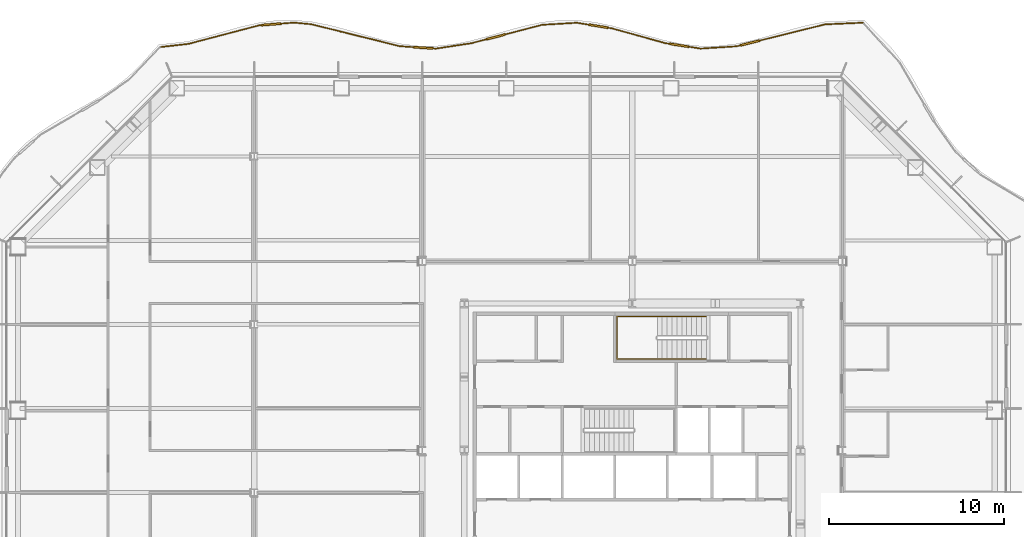
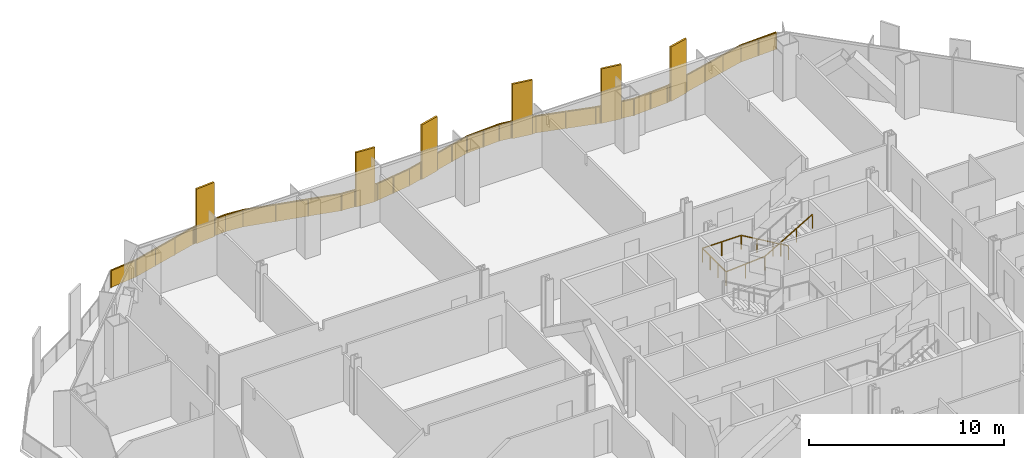
# One storey, part 19 of 20: 2 railings.
"""IFC4 building model written with IfcOpenShell, lengths in metres."""

from ifc_helpers import new_model, si_unit, direction, frame, origin, origin_2d, place, context, subcontext, project, spatial, polyline, rectangle, outline, extrude, material, type_object, element, save


model = new_model("IFC4")

# Units and contexts
model_context = context("Model", 3, precision=1e-05, world=origin(), true_north=direction((0.0, 1.0)))
body_context = subcontext(model_context, "Body", "Model", "MODEL_VIEW")
ifc_project = project(units=[si_unit("LENGTHUNIT", "METRE"), si_unit("AREAUNIT", "SQUARE_METRE"), si_unit("VOLUMEUNIT", "CUBIC_METRE"), si_unit("PLANEANGLEUNIT", "RADIAN"), si_unit("MASSUNIT", "GRAM", prefix="KILO")], contexts=[model_context])

# Site, building, storey
site_placement = place(None, origin())
site = spatial("IfcSite", under=ifc_project, at=site_placement, CompositionType="ELEMENT")
building_placement = place(site_placement, origin())
building = spatial("IfcBuilding", under=site, at=building_placement, Name="Cairn Pilgrim Tower", CompositionType="ELEMENT")
storey_placement = place(building_placement, frame((0.0, 0.0, 83.39990234375)))
storey = spatial("IfcBuildingStorey", under=building, at=storey_placement, Name="L19", CompositionType="ELEMENT", Elevation=83.39990234375)

# Railings
ifc_material_1 = material(Name="Bronze anodised aluminium rail, posts and fin screens with laminated glass infill", Category="aluminium")
railing_type_1 = type_object("IfcRailingType", Name="BALCONY GUARD WITH FIN SCREENS", PredefinedType="GUARDRAIL", material=ifc_material_1)
railing_1_placement = place(storey_placement, frame((20.37646484375, 26.83984375, 0.0)))
element("IfcRailing", 1, at=railing_1_placement, inside=storey, type_object=railing_type_1, Name="Balcony guard BGF-5 with fin screens", PredefinedType="GUARDRAIL", context=body_context, shape_type="SweptSolid", body=[
    extrude(rectangle(XDim=0.050048828125, YDim=0.050048828125, at=origin_2d()), frame((0.0, 0.0, 1.0751953125), z_axis=(-0.999059343406, -0.043363906112, 0.0), x_axis=(0.043363906112, -0.999059343406, 0.0)), (0.0, 0.0, 1.0), 2.16748046875),
    extrude(rectangle(XDim=1.10009765625, YDim=0.110107421875, at=origin_2d()), frame((-6.455810546875, -1.1591796875, 0.0), z_axis=(0.0, 0.0, 1.0), x_axis=(-0.970530332605, -0.240978989733, 0.0)), (0.0, 0.0, 1.0), 3.39990234375),
    extrude(rectangle(XDim=0.050048828125, YDim=0.050048828125, at=origin_2d()), frame((-2.16552734375, -0.093994140625, 1.0751953125), z_axis=(-0.970530332605, -0.240978989733, 0.0), x_axis=(0.240978989733, -0.970530332605, 0.0)), (0.0, 0.0, 1.0), 3.87060546875),
    extrude(rectangle(XDim=0.050048828125, YDim=0.050048828125, at=origin_2d()), frame((-6.989501953125, -1.291748046875, 1.0751953125), z_axis=(-0.970530332605, -0.240978989733, 0.0), x_axis=(0.240978989733, -0.970530332605, 0.0)), (0.0, 0.0, 1.0), 0.23388671875),
    extrude(rectangle(XDim=0.050048828125, YDim=0.050048828125, at=origin_2d()), frame((-7.216552734375, -1.34814453125, 1.0751953125), z_axis=(-0.997955239955, -0.063916657035, 0.0), x_axis=(0.063916657035, -0.997955239955, 0.0)), (0.0, 0.0, 1.0), 2.054931640625),
    extrude(rectangle(XDim=1.10009765625, YDim=0.110107421875, at=origin_2d()), frame((-10.498291015625, -1.289306640625, 0.0), z_axis=(0.0, 0.0, 1.0), x_axis=(-0.988287014191, 0.152606610544, 0.0)), (0.0, 0.0, 1.0), 3.39990234375),
    extrude(rectangle(XDim=0.050048828125, YDim=0.050048828125, at=origin_2d()), frame((-9.267333984375, -1.4794921875, 1.0751953125), z_axis=(-0.988287014191, 0.152606610544, 0.0), x_axis=(-0.152606610544, -0.988287014191, 0.0)), (0.0, 0.0, 1.0), 0.695556640625),
    extrude(rectangle(XDim=0.050048828125, YDim=0.050048828125, at=origin_2d()), frame((-11.0419921875, -1.20556640625, 1.0751953125), z_axis=(-0.988287014191, 0.152606610544, 0.0), x_axis=(-0.152606610544, -0.988287014191, 0.0)), (0.0, 0.0, 1.0), 0.2744140625),
    extrude(rectangle(XDim=0.050048828125, YDim=0.050048828125, at=origin_2d()), frame((-11.313232421875, -1.16357421875, 1.0751953125), z_axis=(-0.963612338145, 0.267303688293, 0.0), x_axis=(-0.267303688293, -0.963612338145, 0.0)), (0.0, 0.0, 1.0), 3.146484375),
    extrude(rectangle(XDim=1.10009765625, YDim=0.110107421875, at=origin_2d()), frame((-15.115966796875, -0.19970703125, 0.0), z_axis=(0.0, 0.0, 1.0), x_axis=(-0.987543657243, 0.157345241549, 0.0)), (0.0, 0.0, 1.0), 3.39990234375),
    extrude(rectangle(XDim=0.050048828125, YDim=0.050048828125, at=origin_2d()), frame((-14.34521484375, -0.322509765625, 1.0751953125), z_axis=(-0.987543657243, 0.157345241549, 0.0), x_axis=(-0.157345241549, -0.987543657243, 0.0)), (0.0, 0.0, 1.0), 0.23046875),
    extrude(rectangle(XDim=0.050048828125, YDim=0.050048828125, at=origin_2d()), frame((-15.6591796875, -0.11328125, 1.0751953125), z_axis=(-0.987543657243, 0.157345241549, 0.0), x_axis=(-0.157345241549, -0.987543657243, 0.0)), (0.0, 0.0, 1.0), 0.69140625),
    extrude(rectangle(XDim=0.050048828125, YDim=0.050048828125, at=origin_2d()), frame((-16.341796875, -0.00439453125, 1.0751953125), z_axis=(-0.998306735794, -0.05816924675, 0.0), x_axis=(0.05816924675, -0.998306735794, 0.0)), (0.0, 0.0, 1.0), 1.99365234375),
    extrude(rectangle(XDim=1.10009765625, YDim=0.110107421875, at=origin_2d()), frame((-20.970947265625, -0.807861328125, 0.0), z_axis=(0.0, 0.0, 1.0), x_axis=(-0.967698051512, -0.252112040768, 0.0)), (0.0, 0.0, 1.0), 3.39990234375),
    extrude(rectangle(XDim=0.050048828125, YDim=0.050048828125, at=origin_2d()), frame((-18.33203125, -0.120361328125, 1.0751953125), z_axis=(-0.967698051512, -0.252112040768, 0.0), x_axis=(0.252112040768, -0.967698051512, 0.0)), (0.0, 0.0, 1.0), 2.177001953125),
    extrude(rectangle(XDim=0.050048828125, YDim=0.050048828125, at=origin_2d()), frame((-21.503173828125, -0.946533203125, 1.0751953125), z_axis=(-0.967698051512, -0.252112040768, 0.0), x_axis=(0.252112040768, -0.967698051512, 0.0)), (0.0, 0.0, 1.0), 0.892822265625),
    extrude(rectangle(XDim=0.050048828125, YDim=0.050048828125, at=origin_2d()), frame((-22.3671875, -1.171630859375, 1.0751953125), z_axis=(-0.988737213893, -0.149662025453, 0.0), x_axis=(0.149662025453, -0.988737213893, 0.0)), (0.0, 0.0, 1.0), 2.068359375),
    extrude(rectangle(XDim=1.10009765625, YDim=0.110107421875, at=origin_2d()), frame((-25.110595703125, -1.43408203125, 0.0), z_axis=(0.0, 0.0, 1.0), x_axis=(-0.997721101582, 0.067472983176, 0.0)), (0.0, 0.0, 1.0), 3.39990234375),
    extrude(rectangle(XDim=0.050048828125, YDim=0.050048828125, at=origin_2d()), frame((-24.412353515625, -1.481201171875, 1.0751953125), z_axis=(-0.997721101582, 0.067472983176, 0.0), x_axis=(-0.067472983176, -0.997721101582, 0.0)), (0.0, 0.0, 1.0), 0.14990234375),
    extrude(rectangle(XDim=0.050048828125, YDim=0.050048828125, at=origin_2d()), frame((-25.659423828125, -1.39697265625, 1.0751953125), z_axis=(-0.997721101582, 0.067472983176, 0.0), x_axis=(-0.067472983176, -0.997721101582, 0.0)), (0.0, 0.0, 1.0), 0.80517578125),
    extrude(rectangle(XDim=0.050048828125, YDim=0.050048828125, at=origin_2d()), frame((-26.462890625, -1.342529296875, 1.0751953125), z_axis=(-0.970568434005, 0.240825486426, 0.0), x_axis=(-0.240825486426, -0.970568434005, 0.0)), (0.0, 0.0, 1.0), 5.207763671875),
    extrude(rectangle(XDim=0.050048828125, YDim=0.050048828125, at=origin_2d()), frame((-31.517333984375, -0.08837890625, 1.0751953125), z_axis=(-0.995676342666, 0.092890369014, 0.0), x_axis=(-0.092890369014, -0.995676342666, 0.0)), (0.0, 0.0, 1.0), 0.990966796875),
    extrude(rectangle(XDim=1.10009765625, YDim=0.110107421875, at=origin_2d()), frame((-33.801025390625, -0.095947265625, 0.0), z_axis=(0.0, 0.0, 1.0), x_axis=(-0.997068823954, -0.076509870593, 0.0)), (0.0, 0.0, 1.0), 3.39990234375),
    extrude(rectangle(XDim=0.050048828125, YDim=0.050048828125, at=origin_2d()), frame((-32.50390625, 0.003662109375, 1.0751953125), z_axis=(-0.997068823954, -0.076509870593, 0.0), x_axis=(0.076509870593, -0.997068823954, 0.0)), (0.0, 0.0, 1.0), 0.750732421875),
    extrude(rectangle(XDim=0.050048828125, YDim=0.050048828125, at=origin_2d()), frame((-34.349365234375, -0.137939453125, 1.0751953125), z_axis=(-0.997068823954, -0.076509870593, 0.0), x_axis=(0.076509870593, -0.997068823954, 0.0)), (0.0, 0.0, 1.0), 0.14990234375),
    extrude(rectangle(XDim=0.050048828125, YDim=0.050048828125, at=origin_2d()), frame((-34.498779296875, -0.1494140625, 1.0751953125), z_axis=(-0.967120706258, -0.254317792393, 0.0), x_axis=(0.254317792393, -0.967120706258, 0.0)), (0.0, 0.0, 1.0), 4.177001953125),
    extrude(rectangle(XDim=0.050048828125, YDim=0.050048828125, at=origin_2d()), frame((-38.538330078125, -1.211669921875, 1.0751953125), z_axis=(-0.993720120038, -0.111894249324, 0.0), x_axis=(0.111894249324, -0.993720120038, 0.0)), (0.0, 0.0, 1.0), 1.575439453125),
    extrude(rectangle(XDim=0.050048828125, YDim=0.050048828125, at=origin_2d()), origin(), (0.0, 0.0, 1.0), 1.050048828125),
    extrude(rectangle(XDim=0.050048828125, YDim=0.050048828125, at=origin_2d()), frame((-1.082763671875, -0.046875, 0.0)), (0.0, 0.0, 1.0), 1.050048828125),
    extrude(rectangle(XDim=0.050048828125, YDim=0.050048828125, at=origin_2d()), frame((-2.16552734375, -0.093994140625, 0.0)), (0.0, 0.0, 1.0), 1.050048828125),
    extrude(rectangle(XDim=0.050048828125, YDim=0.050048828125, at=origin_2d()), frame((-3.40966796875, -0.40283203125, 0.0)), (0.0, 0.0, 1.0), 1.050048828125),
    extrude(rectangle(XDim=0.050048828125, YDim=0.050048828125, at=origin_2d()), frame((-4.653564453125, -0.711669921875, 0.0)), (0.0, 0.0, 1.0), 1.050048828125),
    extrude(rectangle(XDim=0.050048828125, YDim=0.050048828125, at=origin_2d()), frame((-5.897705078125, -1.020751953125, 0.0)), (0.0, 0.0, 1.0), 1.050048828125),
    extrude(rectangle(XDim=0.050048828125, YDim=0.050048828125, at=origin_2d()), frame((-7.013916015625, -1.2978515625, 0.0)), (0.0, 0.0, 1.0), 1.050048828125),
    extrude(rectangle(XDim=0.050048828125, YDim=0.050048828125, at=origin_2d()), frame((-7.216552734375, -1.34814453125, 0.0)), (0.0, 0.0, 1.0), 1.050048828125),
    extrude(rectangle(XDim=0.050048828125, YDim=0.050048828125, at=origin_2d()), frame((-8.241943359375, -1.413818359375, 0.0)), (0.0, 0.0, 1.0), 1.050048828125),
    extrude(rectangle(XDim=0.050048828125, YDim=0.050048828125, at=origin_2d()), frame((-9.267333984375, -1.4794921875, 0.0)), (0.0, 0.0, 1.0), 1.050048828125),
    extrude(rectangle(XDim=0.050048828125, YDim=0.050048828125, at=origin_2d()), frame((-9.93017578125, -1.377197265625, 0.0)), (0.0, 0.0, 1.0), 1.050048828125),
    extrude(rectangle(XDim=0.050048828125, YDim=0.050048828125, at=origin_2d()), frame((-11.066650390625, -1.20166015625, 0.0)), (0.0, 0.0, 1.0), 1.050048828125),
    extrude(rectangle(XDim=0.050048828125, YDim=0.050048828125, at=origin_2d()), frame((-11.313232421875, -1.16357421875, 0.0)), (0.0, 0.0, 1.0), 1.050048828125),
    extrude(rectangle(XDim=0.050048828125, YDim=0.050048828125, at=origin_2d()), frame((-12.8291015625, -0.7431640625, 0.0)), (0.0, 0.0, 1.0), 1.050048828125),
    extrude(rectangle(XDim=0.050048828125, YDim=0.050048828125, at=origin_2d()), frame((-14.34521484375, -0.322509765625, 0.0)), (0.0, 0.0, 1.0), 1.050048828125),
    extrude(rectangle(XDim=0.050048828125, YDim=0.050048828125, at=origin_2d()), frame((-14.548095703125, -0.290283203125, 0.0)), (0.0, 0.0, 1.0), 1.050048828125),
    extrude(rectangle(XDim=0.050048828125, YDim=0.050048828125, at=origin_2d()), frame((-15.683837890625, -0.109130859375, 0.0)), (0.0, 0.0, 1.0), 1.050048828125),
    extrude(rectangle(XDim=0.050048828125, YDim=0.050048828125, at=origin_2d()), frame((-16.341796875, -0.00439453125, 0.0)), (0.0, 0.0, 1.0), 1.050048828125),
    extrude(rectangle(XDim=0.050048828125, YDim=0.050048828125, at=origin_2d()), frame((-17.3369140625, -0.0625, 0.0)), (0.0, 0.0, 1.0), 1.050048828125),
    extrude(rectangle(XDim=0.050048828125, YDim=0.050048828125, at=origin_2d()), frame((-18.33203125, -0.120361328125, 0.0)), (0.0, 0.0, 1.0), 1.050048828125),
    extrude(rectangle(XDim=0.050048828125, YDim=0.050048828125, at=origin_2d()), frame((-19.373291015625, -0.3916015625, 0.0)), (0.0, 0.0, 1.0), 1.050048828125),
    extrude(rectangle(XDim=0.050048828125, YDim=0.050048828125, at=origin_2d()), frame((-20.41455078125, -0.662841796875, 0.0)), (0.0, 0.0, 1.0), 1.050048828125),
    extrude(rectangle(XDim=0.050048828125, YDim=0.050048828125, at=origin_2d()), frame((-21.52734375, -0.952880859375, 0.0)), (0.0, 0.0, 1.0), 1.050048828125),
    extrude(rectangle(XDim=0.050048828125, YDim=0.050048828125, at=origin_2d()), frame((-22.3671875, -1.171630859375, 0.0)), (0.0, 0.0, 1.0), 1.050048828125),
    extrude(rectangle(XDim=0.050048828125, YDim=0.050048828125, at=origin_2d()), frame((-23.3896484375, -1.326416015625, 0.0)), (0.0, 0.0, 1.0), 1.050048828125),
    extrude(rectangle(XDim=0.050048828125, YDim=0.050048828125, at=origin_2d()), frame((-24.412353515625, -1.481201171875, 0.0)), (0.0, 0.0, 1.0), 1.050048828125),
    extrude(rectangle(XDim=0.050048828125, YDim=0.050048828125, at=origin_2d()), frame((-24.536865234375, -1.47265625, 0.0)), (0.0, 0.0, 1.0), 1.050048828125),
    extrude(rectangle(XDim=0.050048828125, YDim=0.050048828125, at=origin_2d()), frame((-25.684326171875, -1.395263671875, 0.0)), (0.0, 0.0, 1.0), 1.050048828125),
    extrude(rectangle(XDim=0.050048828125, YDim=0.050048828125, at=origin_2d()), frame((-26.462890625, -1.342529296875, 0.0)), (0.0, 0.0, 1.0), 1.050048828125),
    extrude(rectangle(XDim=0.050048828125, YDim=0.050048828125, at=origin_2d()), frame((-28.147705078125, -0.924560546875, 0.0)), (0.0, 0.0, 1.0), 1.050048828125),
    extrude(rectangle(XDim=0.050048828125, YDim=0.050048828125, at=origin_2d()), frame((-29.83251953125, -0.50634765625, 0.0)), (0.0, 0.0, 1.0), 1.050048828125),
    extrude(rectangle(XDim=0.050048828125, YDim=0.050048828125, at=origin_2d()), frame((-31.517333984375, -0.08837890625, 0.0)), (0.0, 0.0, 1.0), 1.050048828125),
    extrude(rectangle(XDim=0.050048828125, YDim=0.050048828125, at=origin_2d()), frame((-32.50390625, 0.003662109375, 0.0)), (0.0, 0.0, 1.0), 1.050048828125),
    extrude(rectangle(XDim=0.050048828125, YDim=0.050048828125, at=origin_2d()), frame((-33.2275390625, -0.0517578125, 0.0)), (0.0, 0.0, 1.0), 1.050048828125),
    extrude(rectangle(XDim=0.050048828125, YDim=0.050048828125, at=origin_2d()), frame((-34.374267578125, -0.139892578125, 0.0)), (0.0, 0.0, 1.0), 1.050048828125),
    extrude(rectangle(XDim=0.050048828125, YDim=0.050048828125, at=origin_2d()), frame((-34.498779296875, -0.1494140625, 0.0)), (0.0, 0.0, 1.0), 1.050048828125),
    extrude(rectangle(XDim=0.050048828125, YDim=0.050048828125, at=origin_2d()), frame((-35.84521484375, -0.50341796875, 0.0)), (0.0, 0.0, 1.0), 1.050048828125),
    extrude(rectangle(XDim=0.050048828125, YDim=0.050048828125, at=origin_2d()), frame((-37.19189453125, -0.857666015625, 0.0)), (0.0, 0.0, 1.0), 1.050048828125),
    extrude(rectangle(XDim=0.050048828125, YDim=0.050048828125, at=origin_2d()), frame((-38.538330078125, -1.211669921875, 0.0)), (0.0, 0.0, 1.0), 1.050048828125),
    extrude(rectangle(XDim=0.050048828125, YDim=0.050048828125, at=origin_2d()), frame((-40.103759765625, -1.387939453125, 0.0)), (0.0, 0.0, 1.0), 1.050048828125),
    extrude(outline(polyline([(0.02490234375, 0.0), (1.058837890625, 0.0), (1.058837890625, 1.050048828125), (0.02490234375, 1.050048828125), (0.02490234375, 0.0)])), frame((0.000244140625, -0.005859375, 0.0), z_axis=(-0.043363906112, 0.999059343406, 0.0), x_axis=(-0.999059343406, -0.043363906112, 0.0)), (0.0, 0.0, 1.0), 0.011962890625),
    extrude(outline(polyline([(0.02490234375, 0.0), (1.058837890625, 0.0), (1.058837890625, 1.050048828125), (0.02490234375, 1.050048828125), (0.02490234375, 0.0)])), frame((-1.08251953125, -0.052978515625, 0.0), z_axis=(-0.043363906112, 0.999059343406, 0.0), x_axis=(-0.999059343406, -0.043363906112, 0.0)), (0.0, 0.0, 1.0), 0.011962890625),
    extrude(outline(polyline([(0.02490234375, 0.0), (1.2568359375, 0.0), (1.2568359375, 1.050048828125), (0.02490234375, 1.050048828125), (0.02490234375, 0.0)])), frame((-2.1640625, -0.099853515625, 0.0), z_axis=(-0.240978989733, 0.970530332605, 0.0), x_axis=(-0.970530332605, -0.240978989733, 0.0)), (0.0, 0.0, 1.0), 0.011962890625),
    extrude(outline(polyline([(0.02490234375, 0.0), (1.2568359375, 0.0), (1.2568359375, 1.050048828125), (0.02490234375, 1.050048828125), (0.02490234375, 0.0)])), frame((-3.408203125, -0.40869140625, 0.0), z_axis=(-0.240978989733, 0.970530332605, 0.0), x_axis=(-0.970530332605, -0.240978989733, 0.0)), (0.0, 0.0, 1.0), 0.011962890625),
    extrude(outline(polyline([(0.02490234375, 0.0), (1.2568359375, 0.0), (1.2568359375, 1.050048828125), (0.02490234375, 1.050048828125), (0.02490234375, 0.0)])), frame((-4.652099609375, -0.717529296875, 0.0), z_axis=(-0.240978989733, 0.970530332605, 0.0), x_axis=(-0.970530332605, -0.240978989733, 0.0)), (0.0, 0.0, 1.0), 0.011962890625),
    extrude(outline(polyline([(0.02490234375, 0.0), (0.183837890625, 0.0), (0.183837890625, 1.050048828125), (0.02490234375, 1.050048828125), (0.02490234375, 0.0)])), frame((-7.012451171875, -1.3037109375, 0.0), z_axis=(-0.240978989733, 0.970530332605, 0.0), x_axis=(-0.970530332605, -0.240978989733, 0.0)), (0.0, 0.0, 1.0), 0.011962890625),
    extrude(outline(polyline([(0.02490234375, 0.0), (1.00244140625, 0.0), (1.00244140625, 1.050048828125), (0.02490234375, 1.050048828125), (0.02490234375, 0.0)])), frame((-7.216064453125, -1.35400390625, 0.0), z_axis=(-0.063916657035, 0.997955239955, 0.0), x_axis=(-0.997955239955, -0.063916657035, 0.0)), (0.0, 0.0, 1.0), 0.011962890625),
    extrude(outline(polyline([(0.02490234375, 0.0), (1.00244140625, 0.0), (1.00244140625, 1.050048828125), (0.02490234375, 1.050048828125), (0.02490234375, 0.0)])), frame((-8.241455078125, -1.419677734375, 0.0), z_axis=(-0.063916657035, 0.997955239955, 0.0), x_axis=(-0.997955239955, -0.063916657035, 0.0)), (0.0, 0.0, 1.0), 0.011962890625),
    extrude(outline(polyline([(0.02490234375, 0.0), (0.6455078125, 0.0), (0.6455078125, 1.050048828125), (0.02490234375, 1.050048828125), (0.02490234375, 0.0)])), frame((-9.268310546875, -1.4853515625, 0.0), z_axis=(0.152606610544, 0.988287014191, 0.0), x_axis=(-0.988287014191, 0.152606610544, 0.0)), (0.0, 0.0, 1.0), 0.011962890625),
    extrude(outline(polyline([(0.02490234375, 0.0), (0.224365234375, 0.0), (0.224365234375, 1.050048828125), (0.02490234375, 1.050048828125), (0.02490234375, 0.0)])), frame((-11.067626953125, -1.20751953125, 0.0), z_axis=(0.152606610544, 0.988287014191, 0.0), x_axis=(-0.988287014191, 0.152606610544, 0.0)), (0.0, 0.0, 1.0), 0.011962890625),
    extrude(outline(polyline([(0.02490234375, 0.0), (1.548095703125, 0.0), (1.548095703125, 1.050048828125), (0.02490234375, 1.050048828125), (0.02490234375, 0.0)])), frame((-11.31494140625, -1.16943359375, 0.0), z_axis=(0.267303688293, 0.963612338145, 0.0), x_axis=(-0.963612338145, 0.267303688293, 0.0)), (0.0, 0.0, 1.0), 0.011962890625),
    extrude(outline(polyline([(0.02490234375, 0.0), (1.548095703125, 0.0), (1.548095703125, 1.050048828125), (0.02490234375, 1.050048828125), (0.02490234375, 0.0)])), frame((-12.830810546875, -0.748779296875, 0.0), z_axis=(0.267303688293, 0.963612338145, 0.0), x_axis=(-0.963612338145, 0.267303688293, 0.0)), (0.0, 0.0, 1.0), 0.011962890625),
    extrude(outline(polyline([(0.02490234375, 0.0), (0.180419921875, 0.0), (0.180419921875, 1.050048828125), (0.02490234375, 1.050048828125), (0.02490234375, 0.0)])), frame((-14.34619140625, -0.328369140625, 0.0), z_axis=(0.157345241549, 0.987543657243, 0.0), x_axis=(-0.987543657243, 0.157345241549, 0.0)), (0.0, 0.0, 1.0), 0.011962890625),
    extrude(outline(polyline([(0.02490234375, 0.0), (0.641357421875, 0.0), (0.641357421875, 1.050048828125), (0.02490234375, 1.050048828125), (0.02490234375, 0.0)])), frame((-15.684814453125, -0.115234375, 0.0), z_axis=(0.157345241549, 0.987543657243, 0.0), x_axis=(-0.987543657243, 0.157345241549, 0.0)), (0.0, 0.0, 1.0), 0.011962890625),
    extrude(outline(polyline([(0.02490234375, 0.0), (0.9716796875, 0.0), (0.9716796875, 1.050048828125), (0.02490234375, 1.050048828125), (0.02490234375, 0.0)])), frame((-16.341552734375, -0.01025390625, 0.0), z_axis=(-0.05816924675, 0.998306735794, 0.0), x_axis=(-0.998306735794, -0.05816924675, 0.0)), (0.0, 0.0, 1.0), 0.011962890625),
    extrude(outline(polyline([(0.02490234375, 0.0), (0.9716796875, 0.0), (0.9716796875, 1.050048828125), (0.02490234375, 1.050048828125), (0.02490234375, 0.0)])), frame((-17.336669921875, -0.068359375, 0.0), z_axis=(-0.05816924675, 0.998306735794, 0.0), x_axis=(-0.998306735794, -0.05816924675, 0.0)), (0.0, 0.0, 1.0), 0.011962890625),
    extrude(outline(polyline([(0.02490234375, 0.0), (1.051025390625, 0.0), (1.051025390625, 1.050048828125), (0.02490234375, 1.050048828125), (0.02490234375, 0.0)])), frame((-18.33056640625, -0.126220703125, 0.0), z_axis=(-0.252112040768, 0.967698051512, 0.0), x_axis=(-0.967698051512, -0.252112040768, 0.0)), (0.0, 0.0, 1.0), 0.011962890625),
    extrude(outline(polyline([(0.02490234375, 0.0), (1.051025390625, 0.0), (1.051025390625, 1.050048828125), (0.02490234375, 1.050048828125), (0.02490234375, 0.0)])), frame((-19.371826171875, -0.3974609375, 0.0), z_axis=(-0.252112040768, 0.967698051512, 0.0), x_axis=(-0.967698051512, -0.252112040768, 0.0)), (0.0, 0.0, 1.0), 0.011962890625),
    extrude(outline(polyline([(0.02490234375, 0.0), (0.8427734375, 0.0), (0.8427734375, 1.050048828125), (0.02490234375, 1.050048828125), (0.02490234375, 0.0)])), frame((-21.52587890625, -0.958740234375, 0.0), z_axis=(-0.252112040768, 0.967698051512, 0.0), x_axis=(-0.967698051512, -0.252112040768, 0.0)), (0.0, 0.0, 1.0), 0.011962890625),
    extrude(outline(polyline([(0.02490234375, 0.0), (1.00927734375, 0.0), (1.00927734375, 1.050048828125), (0.02490234375, 1.050048828125), (0.02490234375, 0.0)])), frame((-22.3662109375, -1.177490234375, 0.0), z_axis=(-0.149662025453, 0.988737213893, 0.0), x_axis=(-0.988737213893, -0.149662025453, 0.0)), (0.0, 0.0, 1.0), 0.011962890625),
    extrude(outline(polyline([(0.02490234375, 0.0), (1.00927734375, 0.0), (1.00927734375, 1.050048828125), (0.02490234375, 1.050048828125), (0.02490234375, 0.0)])), frame((-23.388916015625, -1.332275390625, 0.0), z_axis=(-0.149662025453, 0.988737213893, 0.0), x_axis=(-0.988737213893, -0.149662025453, 0.0)), (0.0, 0.0, 1.0), 0.011962890625),
    extrude(outline(polyline([(0.02490234375, 0.0), (0.099853515625, 0.0), (0.099853515625, 1.050048828125), (0.02490234375, 1.050048828125), (0.02490234375, 0.0)])), frame((-24.412841796875, -1.487060546875, 0.0), z_axis=(0.067472983176, 0.997721101582, 0.0), x_axis=(-0.997721101582, 0.067472983176, 0.0)), (0.0, 0.0, 1.0), 0.011962890625),
    extrude(outline(polyline([(0.02490234375, 0.0), (0.755126953125, 0.0), (0.755126953125, 1.050048828125), (0.02490234375, 1.050048828125), (0.02490234375, 0.0)])), frame((-25.684814453125, -1.401123046875, 0.0), z_axis=(0.067472983176, 0.997721101582, 0.0), x_axis=(-0.997721101582, 0.067472983176, 0.0)), (0.0, 0.0, 1.0), 0.011962890625),
    extrude(outline(polyline([(0.02490234375, 0.0), (1.7109375, 0.0), (1.7109375, 1.050048828125), (0.02490234375, 1.050048828125), (0.02490234375, 0.0)])), frame((-26.46435546875, -1.348388671875, 0.0), z_axis=(0.240825486426, 0.970568434005, 0.0), x_axis=(-0.970568434005, 0.240825486426, 0.0)), (0.0, 0.0, 1.0), 0.011962890625),
    extrude(outline(polyline([(0.02490234375, 0.0), (1.7109375, 0.0), (1.7109375, 1.050048828125), (0.02490234375, 1.050048828125), (0.02490234375, 0.0)])), frame((-28.149169921875, -0.93017578125, 0.0), z_axis=(0.240825486426, 0.970568434005, 0.0), x_axis=(-0.970568434005, 0.240825486426, 0.0)), (0.0, 0.0, 1.0), 0.011962890625),
    extrude(outline(polyline([(0.02490234375, 0.0), (1.7109375, 0.0), (1.7109375, 1.050048828125), (0.02490234375, 1.050048828125), (0.02490234375, 0.0)])), frame((-29.833984375, -0.51220703125, 0.0), z_axis=(0.240825486426, 0.970568434005, 0.0), x_axis=(-0.970568434005, 0.240825486426, 0.0)), (0.0, 0.0, 1.0), 0.011962890625),
    extrude(outline(polyline([(0.02490234375, 0.0), (0.9658203125, 0.0), (0.9658203125, 1.050048828125), (0.02490234375, 1.050048828125), (0.02490234375, 0.0)])), frame((-31.517822265625, -0.09423828125, 0.0), z_axis=(0.092890369014, 0.995676342666, 0.0), x_axis=(-0.995676342666, 0.092890369014, 0.0)), (0.0, 0.0, 1.0), 0.011962890625),
    extrude(outline(polyline([(0.02490234375, 0.0), (0.70068359375, 0.0), (0.70068359375, 1.050048828125), (0.02490234375, 1.050048828125), (0.02490234375, 0.0)])), frame((-32.50341796875, -0.002197265625, 0.0), z_axis=(-0.076509870593, 0.997068823954, 0.0), x_axis=(-0.997068823954, -0.076509870593, 0.0)), (0.0, 0.0, 1.0), 0.011962890625),
    extrude(outline(polyline([(0.02490234375, 0.0), (0.099853515625, 0.0), (0.099853515625, 1.050048828125), (0.02490234375, 1.050048828125), (0.02490234375, 0.0)])), frame((-34.373779296875, -0.145751953125, 0.0), z_axis=(-0.076509870593, 0.997068823954, 0.0), x_axis=(-0.997068823954, -0.076509870593, 0.0)), (0.0, 0.0, 1.0), 0.011962890625),
    extrude(outline(polyline([(0.02490234375, 0.0), (1.3671875, 0.0), (1.3671875, 1.050048828125), (0.02490234375, 1.050048828125), (0.02490234375, 0.0)])), frame((-34.497314453125, -0.1552734375, 0.0), z_axis=(-0.254317792393, 0.967120706258, 0.0), x_axis=(-0.967120706258, -0.254317792393, 0.0)), (0.0, 0.0, 1.0), 0.011962890625),
    extrude(outline(polyline([(0.02490234375, 0.0), (1.3671875, 0.0), (1.3671875, 1.050048828125), (0.02490234375, 1.050048828125), (0.02490234375, 0.0)])), frame((-35.84375, -0.50927734375, 0.0), z_axis=(-0.254317792393, 0.967120706258, 0.0), x_axis=(-0.967120706258, -0.254317792393, 0.0)), (0.0, 0.0, 1.0), 0.011962890625),
    extrude(outline(polyline([(0.02490234375, 0.0), (1.3671875, 0.0), (1.3671875, 1.050048828125), (0.02490234375, 1.050048828125), (0.02490234375, 0.0)])), frame((-37.190185546875, -0.86328125, 0.0), z_axis=(-0.254317792393, 0.967120706258, 0.0), x_axis=(-0.967120706258, -0.254317792393, 0.0)), (0.0, 0.0, 1.0), 0.011962890625),
    extrude(outline(polyline([(0.02490234375, 0.0), (1.55029296875, 0.0), (1.55029296875, 1.050048828125), (0.02490234375, 1.050048828125), (0.02490234375, 0.0)])), frame((-38.53759765625, -1.217529296875, 0.0), z_axis=(-0.111894249324, 0.993720120038, 0.0), x_axis=(-0.993720120038, -0.111894249324, 0.0)), (0.0, 0.0, 1.0), 0.011962890625),
])
ifc_material_2 = material(Name="Painted steel", Category="steel")
railing_type_2 = type_object("IfcRailingType", Name="STAIR HANDRAIL 900", PredefinedType="HANDRAIL", material=ifc_material_2)
railing_2_placement = place(storey_placement, frame((11.425048828125, 10.050048828125, 0.163818359375)))
element("IfcRailing", 2, at=railing_2_placement, inside=storey, type_object=railing_type_2, Name="L19 ST-C stair handrail 1", PredefinedType="HANDRAIL", context=body_context, shape_type="SweptSolid", body=[
    extrude(rectangle(XDim=0.048095703125, YDim=0.048095703125, at=origin_2d()), frame((0.0, 0.0, 0.8759765625), z_axis=(-0.863393664356, 0.0, 0.504530851732), x_axis=(0.0, -1.0, 0.0)), (0.0, 0.0, 1.0), 3.2431640625),
    extrude(rectangle(XDim=0.048095703125, YDim=0.048095703125, at=origin_2d()), frame((-2.800048828125, 0.0, 2.51220703125), z_axis=(-1.0, 0.0, 0.0), x_axis=(0.0, -1.0, 0.0)), (0.0, 0.0, 1.0), 2.300048828125),
    extrude(rectangle(XDim=0.048095703125, YDim=0.048095703125, at=origin_2d()), frame((-5.10009765625, 0.0, 2.51220703125), z_axis=(0.0, -1.0, 0.0), x_axis=(1.0, 0.0, 0.0)), (0.0, 0.0, 1.0), 2.425048828125),
    extrude(rectangle(XDim=0.048095703125, YDim=0.048095703125, at=origin_2d()), frame((-5.10009765625, -2.425048828125, 2.51220703125), z_axis=(0.997480687736, 0.0, 0.070938548008), x_axis=(0.0, 1.0, 0.0)), (0.0, 0.0, 1.0), 2.305908203125),
    extrude(rectangle(XDim=0.048095703125, YDim=0.048095703125, at=origin_2d()), frame((-2.800048828125, -2.425048828125, 2.67578125), z_axis=(0.863360870873, 0.0, 0.504586966384), x_axis=(0.0, 1.0, 0.0)), (0.0, 0.0, 1.0), 3.2431640625),
    extrude(rectangle(XDim=0.0419921875, YDim=0.0419921875, at=origin_2d()), origin(), (0.0, 0.0, 1.0), 0.851806640625),
    extrude(rectangle(XDim=0.0419921875, YDim=0.0419921875, at=origin_2d()), frame((-0.933349609375, 0.0, 0.54541015625)), (0.0, 0.0, 1.0), 0.851806640625),
    extrude(rectangle(XDim=0.0419921875, YDim=0.0419921875, at=origin_2d()), frame((-1.86669921875, 0.0, 1.0908203125)), (0.0, 0.0, 1.0), 0.851806640625),
    extrude(rectangle(XDim=0.0419921875, YDim=0.0419921875, at=origin_2d()), frame((-2.800048828125, 0.0, 1.63623046875)), (0.0, 0.0, 1.0), 0.851806640625),
    extrude(rectangle(XDim=0.0419921875, YDim=0.0419921875, at=origin_2d()), frame((-3.9501953125, 0.0, 1.63623046875)), (0.0, 0.0, 1.0), 0.851806640625),
    extrude(rectangle(XDim=0.0419921875, YDim=0.0419921875, at=origin_2d()), frame((-5.10009765625, 0.0, 1.63623046875)), (0.0, 0.0, 1.0), 0.851806640625),
    extrude(rectangle(XDim=0.0419921875, YDim=0.0419921875, at=origin_2d()), frame((-5.10009765625, -0.808349609375, 1.63623046875)), (0.0, 0.0, 1.0), 0.851806640625),
    extrude(rectangle(XDim=0.0419921875, YDim=0.0419921875, at=origin_2d()), frame((-5.10009765625, -1.61669921875, 1.63623046875)), (0.0, 0.0, 1.0), 0.851806640625),
    extrude(rectangle(XDim=0.0419921875, YDim=0.0419921875, at=origin_2d()), frame((-5.10009765625, -2.425048828125, 1.63623046875)), (0.0, 0.0, 1.0), 0.851806640625),
    extrude(rectangle(XDim=0.0419921875, YDim=0.0419921875, at=origin_2d()), frame((-3.9501953125, -2.425048828125, 1.718017578125)), (0.0, 0.0, 1.0), 0.851806640625),
    extrude(rectangle(XDim=0.0419921875, YDim=0.0419921875, at=origin_2d()), frame((-2.800048828125, -2.425048828125, 1.7998046875)), (0.0, 0.0, 1.0), 0.851806640625),
    extrude(rectangle(XDim=0.0419921875, YDim=0.0419921875, at=origin_2d()), frame((-1.86669921875, -2.425048828125, 2.34521484375)), (0.0, 0.0, 1.0), 0.851806640625),
    extrude(rectangle(XDim=0.0419921875, YDim=0.0419921875, at=origin_2d()), frame((-0.933349609375, -2.425048828125, 2.890869140625)), (0.0, 0.0, 1.0), 0.851806640625),
    extrude(rectangle(XDim=0.0419921875, YDim=0.0419921875, at=origin_2d()), frame((0.0, -2.425048828125, 3.436279296875)), (0.0, 0.0, 1.0), 0.851806640625),
])

save(model, "model.ifc")
